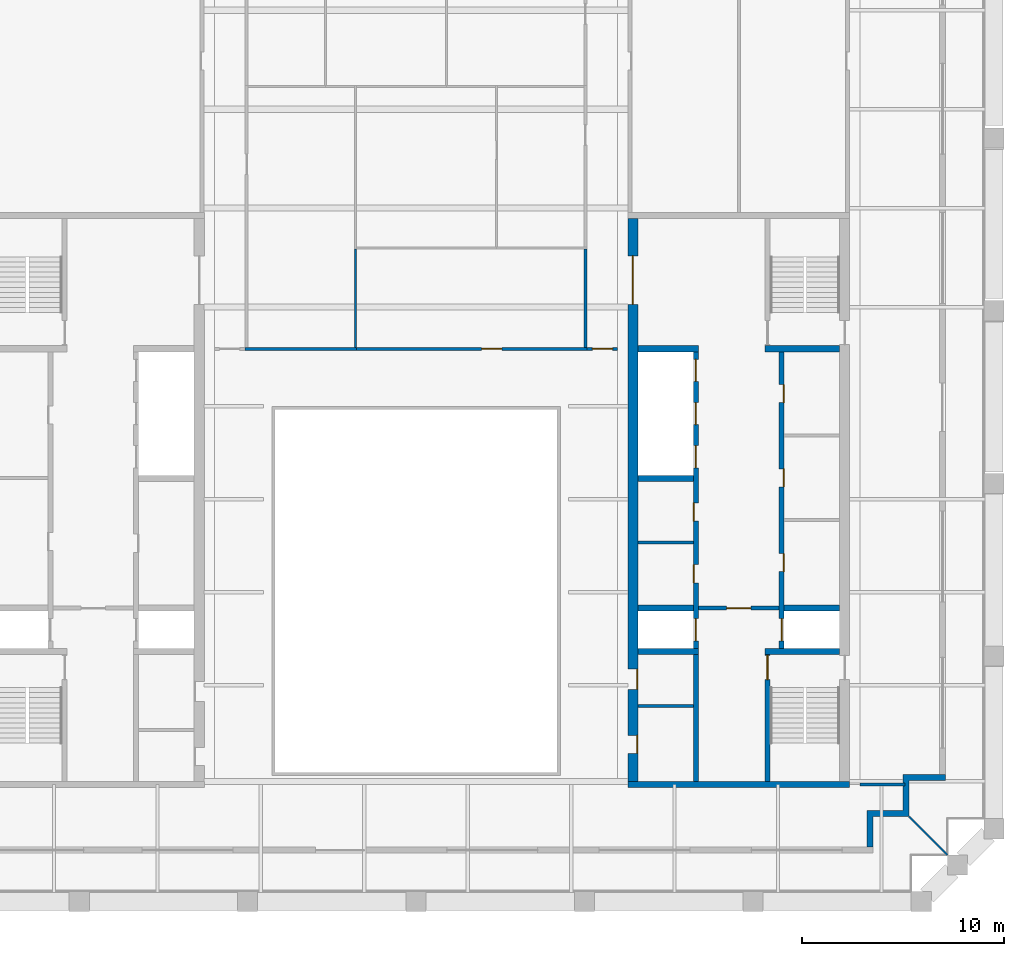
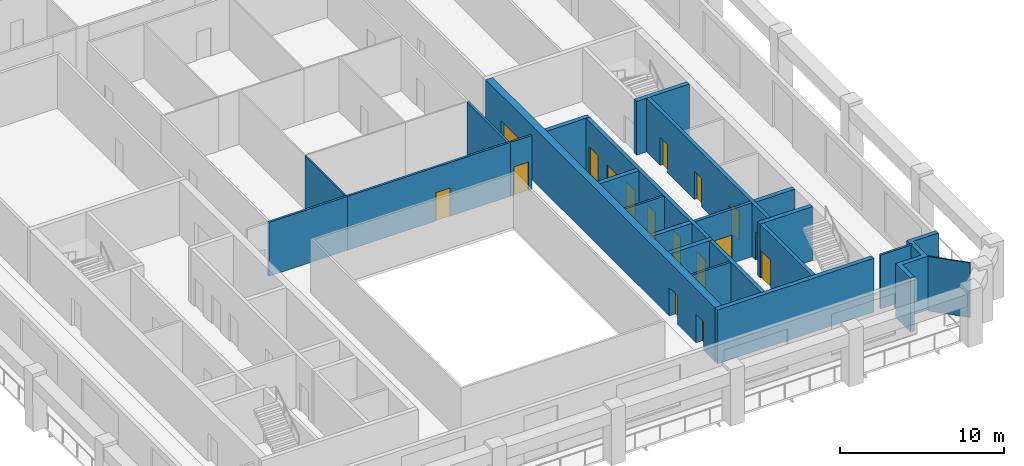
# One storey, part 4 of 8: 23 walls, 17 doors, 17 openings.
"""IFC4 building model written with IfcOpenShell, lengths in metres."""

from ifc_helpers import new_model, si_unit, direction, frame, frame_2d, origin, place, context, subcontext, project, spatial, polyline, rectangle, outline, extrude, material, layer, layer_set, type_object, element, fill, save


model = new_model("IFC4")

# Units and contexts
model_context = context("Model", 3, precision=1e-05, world=origin(), true_north=direction((0.0, 1.0)))
body_context = subcontext(model_context, "Body", "Model", "MODEL_VIEW")
ifc_project = project(units=[si_unit("LENGTHUNIT", "METRE"), si_unit("AREAUNIT", "SQUARE_METRE"), si_unit("VOLUMEUNIT", "CUBIC_METRE"), si_unit("PLANEANGLEUNIT", "RADIAN"), si_unit("MASSUNIT", "GRAM", prefix="KILO")], contexts=[model_context])

# Site, building, storey
site_placement = place(None, origin())
site = spatial("IfcSite", under=ifc_project, at=site_placement, CompositionType="ELEMENT")
building_placement = place(site_placement, origin())
building = spatial("IfcBuilding", under=site, at=building_placement, Name="Ogive Exchange Tower", CompositionType="ELEMENT")
storey_placement = place(building_placement, frame((0.0, 0.0, 338.39990234375)))
storey = spatial("IfcBuildingStorey", under=building, at=storey_placement, Name="L74", CompositionType="ELEMENT", Elevation=338.39990234375)

# Walls
ifc_material_1 = material(Name="Gypsum board partition")
ifc_layer_1 = layer(ifc_material_1, 0.14990234375)
ifc_layer_set_1 = layer_set([ifc_layer_1], Name="Core room partition 150 gypsum")
wall_type_1 = type_object("IfcWallType", Name="Core room partition 150 gypsum", PredefinedType="PARTITIONING", material=ifc_layer_set_1)
for number, where, z_axis, x_axis, name in (
    (1, (11.0, 9.39990234375, 0.0), (0.0, 0.0, 1.0), (1.0, 0.0, 0.0), "E row B bay partition 1-1"),
    (2, (11.0, 1.300048828125, 0.0), (0.0, 0.0, 1.0), (1.0, 0.0, 0.0), "E south room partition"),
):
    element("IfcWall", number, at=place(storey_placement, frame(where, z_axis=z_axis, x_axis=x_axis)), inside=storey, type_object=wall_type_1, Name=name, PredefinedType="PARTITIONING", context=body_context, shape_type="SweptSolid", body=[
        extrude(rectangle(XDim=2.75, YDim=0.14990234375, at=frame_2d((1.375, 0.0))), origin(), (0.0, 0.0, 1.0), 4.0),
    ])
ifc_material_2 = material(Name="Fire partition EI 60 150")
ifc_layer_2 = layer(ifc_material_2, 0.14990234375)
ifc_layer_set_2 = layer_set([ifc_layer_2], Name="Fire partition EI 60 150")
wall_type_2 = type_object("IfcWallType", Name="Fire partition EI 60 150", PredefinedType="PARTITIONING", material=ifc_layer_set_2)
wall_1_placement = place(storey_placement, frame((-8.47509765625, 19.0, 0.0), z_axis=(0.0, 0.0, 1.0), x_axis=(1.0, 0.0, 0.0)))
element("IfcWall", 3, at=wall_1_placement, inside=storey, type_object=wall_type_2, Name="L74-PWL-015", PredefinedType="PARTITIONING", context=body_context, shape_type="SweptSolid", body=[
    extrude(rectangle(XDim=5.525146484375, YDim=0.14990234375, at=frame_2d((2.7626953125, 0.0))), origin(), (0.0, 0.0, 1.0), 4.0),
])

# Wall, opening, door
wall_2_placement = place(storey_placement, frame((-3.0, 19.0, 0.0), z_axis=(0.0, 0.0, 1.0), x_axis=(1.0, 0.0, 0.0)))
wall_2 = element("IfcWall", 4, at=wall_2_placement, inside=storey, type_object=wall_type_2, Name="L74-PWL-026", PredefinedType="PARTITIONING", context=body_context, shape_type="SweptSolid", body=[
    extrude(rectangle(XDim=11.47509765625, YDim=0.14990234375, at=frame_2d((5.737548828125, 0.0))), origin(), (0.0, 0.0, 1.0), 4.0),
])
opening_1_placement = place(wall_2_placement, frame((6.25, 0.0, 0.0)))
opening_1 = element("IfcOpeningElement", 5, at=opening_1_placement, cuts=wall_2, Name="Opening L74-I15", PredefinedType="OPENING", context=body_context, shape_type="SweptSolid", body=[
    extrude(rectangle(XDim=1.0, YDim=2.10009765625, at=frame_2d((0.5, 1.050048828125))), frame((0.0, 0.0849609375, 0.0), z_axis=(0.0, -1.0, 0.0), x_axis=(1.0, 0.0, 0.0)), (0.0, 0.0, 1.0), 0.169921875),
])
ifc_material_3 = material(Name="Fire door FD 30S 1000 x 2100")
door_type_1 = type_object("IfcDoorType", Name="Fire door FD 30S 1000 x 2100", OperationType="NOTDEFINED", PredefinedType="DOOR", material=ifc_material_3)
door_1_placement = place(opening_1_placement, origin())
door_1 = element("IfcDoor", 6, at=door_1_placement, inside=storey, type_object=door_type_1, Name="L74-IDR-015", ObjectType="DT3", OperationType="SINGLE_SWING_LEFT", OverallHeight=2.10009765625, OverallWidth=1.0, PredefinedType="DOOR", context=body_context, shape_type="SweptSolid", body=[
    extrude(rectangle(XDim=1.0, YDim=2.10009765625, at=frame_2d((0.5, 1.050048828125))), frame((0.0, 0.02490234375, 0.0), z_axis=(0.0, -1.0, 0.0), x_axis=(1.0, 0.0, 0.0)), (0.0, 0.0, 1.0), 0.050048828125),
])
fill(opening_1, door_1)

# Walls
wall_3_placement = place(storey_placement, frame((8.39990234375, 19.074951171875, 0.0), z_axis=(0.0, 0.0, 1.0), x_axis=(0.0, 1.0, 0.0)))
element("IfcWall", 7, at=wall_3_placement, inside=storey, type_object=wall_type_2, Name="L74-PWL-041", PredefinedType="PARTITIONING", context=body_context, shape_type="SweptSolid", body=[
    extrude(rectangle(XDim=4.875, YDim=0.14990234375, at=frame_2d((2.4375, 0.0))), origin(), (0.0, 0.0, 1.0), 4.0),
])
wall_4_placement = place(storey_placement, frame((22.0, -2.60009765625, 0.0), z_axis=(0.0, 0.0, 1.0), x_axis=(1.0, 0.0, 0.0)))
element("IfcWall", 8, at=wall_4_placement, inside=storey, type_object=wall_type_2, Name="L74-PWL-050", PredefinedType="PARTITIONING", context=body_context, shape_type="SweptSolid", body=[
    extrude(rectangle(XDim=2.25, YDim=0.14990234375, at=frame_2d((1.125, 0.0))), origin(), (0.0, 0.0, 1.0), 4.0),
])

# Wall, opening, door
wall_5_placement = place(storey_placement, frame((8.485107421875, 19.0, 0.0), z_axis=(0.0, 0.0, 1.0), x_axis=(1.0, 0.0, 0.0)))
wall_5 = element("IfcWall", 9, at=wall_5_placement, inside=storey, type_object=wall_type_2, Name="L74-PWL-056", PredefinedType="PARTITIONING", context=body_context, shape_type="SweptSolid", body=[
    extrude(rectangle(XDim=1.514892578125, YDim=0.14990234375, at=frame_2d((0.75732421875, 0.0))), origin(), (0.0, 0.0, 1.0), 4.0),
])
opening_2_placement = place(wall_5_placement, frame((0.258056640625, 0.0, 0.0)))
opening_2 = element("IfcOpeningElement", 10, at=opening_2_placement, cuts=wall_5, Name="Opening L74-I22", PredefinedType="OPENING", context=body_context, shape_type="SweptSolid", body=[
    extrude(rectangle(XDim=1.0, YDim=2.10009765625, at=frame_2d((0.5, 1.050048828125))), frame((0.0, 0.0849609375, 0.0), z_axis=(0.0, -1.0, 0.0), x_axis=(1.0, 0.0, 0.0)), (0.0, 0.0, 1.0), 0.169921875),
])
door_2_placement = place(opening_2_placement, origin())
door_2 = element("IfcDoor", 11, at=door_2_placement, inside=storey, type_object=door_type_1, Name="L74-IDR-022", ObjectType="DT3", OperationType="SINGLE_SWING_RIGHT", OverallHeight=2.10009765625, OverallWidth=1.0, PredefinedType="DOOR", context=body_context, shape_type="SweptSolid", body=[
    extrude(rectangle(XDim=1.0, YDim=2.10009765625, at=frame_2d((0.5, 1.050048828125))), frame((0.0, 0.02490234375, 0.0), z_axis=(0.0, -1.0, 0.0), x_axis=(1.0, 0.0, 0.0)), (0.0, 0.0, 1.0), 0.050048828125),
])
fill(opening_2, door_2)

# Walls
ifc_material_4 = material(Name="Precast concrete C40/50", Category="concrete")
ifc_layer_3 = layer(ifc_material_4, 0.300048828125)
ifc_layer_set_3 = layer_set([ifc_layer_3], Name="Limestone-faced wall 300")
wall_type_3 = type_object("IfcWallType", Name="Limestone-faced wall 300", PredefinedType="STANDARD", material=ifc_layer_set_3)
wall_6_placement = place(storey_placement, origin())
element("IfcWall", 12, at=wall_6_placement, inside=storey, type_object=wall_type_3, Name="External corner wall C1", PredefinedType="STANDARD", context=body_context, shape_type="SweptSolid", body=[
    extrude(outline(polyline([(24.14990234375, -3.89990234375), (24.14990234375, -2.10009765625), (26.25, -2.10009765625), (26.25, -2.39990234375), (24.449951171875, -2.39990234375), (24.449951171875, -4.199951171875), (22.64990234375, -4.199951171875), (22.64990234375, -5.699951171875), (22.35009765625, -5.699951171875), (22.35009765625, -3.89990234375), (24.14990234375, -3.89990234375)])), origin(), (0.0, 0.0, 1.0), 4.0),
])
ifc_material_5 = material(Name="Laminated safety glass in steel frame", Category="steel")
ifc_layer_4 = layer(ifc_material_5, 0.10009765625)
ifc_layer_set_4 = layer_set([ifc_layer_4], Name="Loggia end screen 100")
wall_type_4 = type_object("IfcWallType", Name="Loggia end screen 100", PredefinedType="STANDARD", material=ifc_layer_set_4)
wall_7_placement = place(storey_placement, frame((24.449951171875, -4.199951171875, -0.0498046875), z_axis=(0.0, 0.0, 1.0), x_axis=(0.707106781187, -0.707106781187, 0.0)))
element("IfcWall", 13, at=wall_7_placement, inside=storey, type_object=wall_type_4, Name="Loggia end screen C1", PredefinedType="STANDARD", context=body_context, shape_type="SweptSolid", body=[
    extrude(rectangle(XDim=2.667236328125, YDim=0.10009765625, at=frame_2d((1.33349609375, 0.0))), origin(), (0.0, 0.0, 1.0), 4.0498046875),
])
ifc_material_6 = material(Name="Partition 100 gypsum")
ifc_layer_5 = layer(ifc_material_6, 0.10009765625)
ifc_layer_set_5 = layer_set([ifc_layer_5], Name="Partition 100 gypsum")
wall_type_5 = type_object("IfcWallType", Name="Partition 100 gypsum", PredefinedType="PARTITIONING", material=ifc_layer_set_5)
wall_8_placement = place(storey_placement, frame((-3.0, 19.074951171875, 0.0), z_axis=(0.0, 0.0, 1.0), x_axis=(0.0, 1.0, 0.0)))
element("IfcWall", 14, at=wall_8_placement, inside=storey, type_object=wall_type_5, Name="L74-PWL-025", PredefinedType="PARTITIONING", context=body_context, shape_type="SweptSolid", body=[
    extrude(rectangle(XDim=4.875, YDim=0.10009765625, at=frame_2d((2.4375, 0.0))), origin(), (0.0, 0.0, 1.0), 4.0),
])

# Wall, opening, door
ifc_material_7 = material(Name="Concrete C70/85", Category="concrete")
ifc_layer_6 = layer(ifc_material_7, 0.199951171875)
ifc_layer_set_6 = layer_set([ifc_layer_6], Name="RC core wall 200 C70/85")
wall_type_6 = type_object("IfcWallType", Name="RC core wall 200 C70/85", PredefinedType="SHEAR", material=ifc_layer_set_6)
wall_9_placement = place(storey_placement, frame((14.0, 6.142822265625, 0.0), z_axis=(0.0, 0.0, 1.0), x_axis=(1.0, 0.0, 0.0)))
wall_9 = element("IfcWall", 15, at=wall_9_placement, inside=storey, type_object=wall_type_6, Name="E firefighting lobby wall", PredefinedType="SHEAR", context=body_context, shape_type="SweptSolid", body=[
    extrude(rectangle(XDim=4.0, YDim=0.199951171875, at=frame_2d((2.0, 0.0))), origin(), (0.0, 0.0, 1.0), 4.0),
])
opening_3_placement = place(wall_9_placement, frame((1.39990234375, 0.0, 0.0)))
opening_3 = element("IfcOpeningElement", 16, at=opening_3_placement, cuts=wall_9, Name="Opening L74-C28", PredefinedType="OPENING", context=body_context, shape_type="SweptSolid", body=[
    extrude(rectangle(XDim=1.199951171875, YDim=2.10009765625, at=frame_2d((0.60009765625, 1.050048828125))), frame((0.0, 0.10986328125, 0.0), z_axis=(0.0, -1.0, 0.0), x_axis=(1.0, 0.0, 0.0)), (0.0, 0.0, 1.0), 0.219970703125),
])
ifc_material_8 = material(Name="Steel fire door", Category="steel")
door_type_2 = type_object("IfcDoorType", Name="Firefighting lobby door FD60 1200 x 2100", OperationType="NOTDEFINED", PredefinedType="DOOR", material=ifc_material_8)
door_3_placement = place(opening_3_placement, frame((1.199951171875, 0.0, 0.0), z_axis=(0.0, 0.0, 1.0), x_axis=(-1.0, 0.0, 0.0)))
door_3 = element("IfcDoor", 17, at=door_3_placement, inside=storey, type_object=door_type_2, Name="Firefighting lobby door", ObjectType="CD3", OperationType="SINGLE_SWING_RIGHT", OverallHeight=2.10009765625, OverallWidth=1.199951171875, PredefinedType="DOOR", context=body_context, shape_type="SweptSolid", body=[
    extrude(rectangle(XDim=1.199951171875, YDim=2.10009765625, at=frame_2d((0.60009765625, 1.050048828125))), frame((0.0, 0.02490234375, 0.0), z_axis=(0.0, -1.0, 0.0), x_axis=(1.0, 0.0, 0.0)), (0.0, 0.0, 1.0), 0.050048828125),
])
fill(opening_3, door_3)

ifc_layer_7 = layer(ifc_material_7, 0.25)
ifc_layer_set_7 = layer_set([ifc_layer_7], Name="RC core wall 250 C70/85")
wall_type_7 = type_object("IfcWallType", Name="RC core wall 250 C70/85", PredefinedType="SHEAR", material=ifc_layer_set_7)
wall_10_placement = place(storey_placement, frame((17.425048828125, -2.449951171875, 0.0), z_axis=(0.0, 0.0, 1.0), x_axis=(0.0, 1.0, 0.0)))
wall_10 = element("IfcWall", 18, at=wall_10_placement, inside=storey, type_object=wall_type_7, Name="E stair S front wall", PredefinedType="SHEAR", context=body_context, shape_type="SweptSolid", body=[
    extrude(rectangle(XDim=6.300048828125, YDim=0.25, at=frame_2d((3.14990234375, 0.0))), origin(), (0.0, 0.0, 1.0), 4.0),
])
opening_4_placement = place(wall_10_placement, frame((5.050048828125, 0.0, 0.0)))
opening_4 = element("IfcOpeningElement", 19, at=opening_4_placement, cuts=wall_10, Name="Opening L74-C30", PredefinedType="OPENING", context=body_context, shape_type="SweptSolid", body=[
    extrude(rectangle(XDim=1.199951171875, YDim=2.10009765625, at=frame_2d((0.60009765625, 1.050048828125))), frame((0.0, 0.135009765625, 0.0), z_axis=(0.0, -1.0, 0.0), x_axis=(1.0, 0.0, 0.0)), (0.0, 0.0, 1.0), 0.27001953125),
])
door_type_3 = type_object("IfcDoorType", Name="Stair door FD90 1200 x 2100", OperationType="NOTDEFINED", PredefinedType="DOOR", material=ifc_material_8)
door_4_placement = place(opening_4_placement, frame((1.199951171875, 0.0, 0.0), z_axis=(0.0, 0.0, 1.0), x_axis=(-1.0, 0.0, 0.0)))
door_4 = element("IfcDoor", 20, at=door_4_placement, inside=storey, type_object=door_type_3, Name="Stair door", ObjectType="CD5", OperationType="SINGLE_SWING_RIGHT", OverallHeight=2.10009765625, OverallWidth=1.199951171875, PredefinedType="DOOR", context=body_context, shape_type="SweptSolid", body=[
    extrude(rectangle(XDim=1.199951171875, YDim=2.10009765625, at=frame_2d((0.60009765625, 1.050048828125))), frame((0.0, 0.02490234375, 0.0), z_axis=(0.0, -1.0, 0.0), x_axis=(1.0, 0.0, 0.0)), (0.0, 0.0, 1.0), 0.050048828125),
])
fill(opening_4, door_4)

# Wall, openings, doors
wall_11_placement = place(storey_placement, frame((18.125, 4.14990234375, 0.0), z_axis=(0.0, 0.0, 1.0), x_axis=(0.0, 1.0, 0.0)))
wall_11 = element("IfcWall", 21, at=wall_11_placement, inside=storey, type_object=wall_type_7, Name="E row A front wall", PredefinedType="SHEAR", context=body_context, shape_type="SweptSolid", body=[
    extrude(rectangle(XDim=14.7001953125, YDim=0.25, at=frame_2d((7.35009765625, 0.0))), origin(), (0.0, 0.0, 1.0), 4.0),
])
opening_5_placement = place(wall_11_placement, frame((3.79638671875, 0.0, 0.0)))
opening_5 = element("IfcOpeningElement", 22, at=opening_5_placement, cuts=wall_11, Name="Opening L74-C18", PredefinedType="OPENING", context=body_context, shape_type="SweptSolid", body=[
    extrude(rectangle(XDim=0.89990234375, YDim=2.10009765625, at=frame_2d((0.449951171875, 1.050048828125))), frame((0.0, 0.135009765625, 0.0), z_axis=(0.0, -1.0, 0.0), x_axis=(1.0, 0.0, 0.0)), (0.0, 0.0, 1.0), 0.27001953125),
])
opening_6_placement = place(wall_11_placement, frame((8.0, 0.0, 0.0)))
opening_6 = element("IfcOpeningElement", 23, at=opening_6_placement, cuts=wall_11, Name="Opening L74-C19", PredefinedType="OPENING", context=body_context, shape_type="SweptSolid", body=[
    extrude(rectangle(XDim=0.89990234375, YDim=2.10009765625, at=frame_2d((0.449951171875, 1.050048828125))), frame((0.0, 0.135009765625, 0.0), z_axis=(0.0, -1.0, 0.0), x_axis=(1.0, 0.0, 0.0)), (0.0, 0.0, 1.0), 0.27001953125),
])
opening_7_placement = place(wall_11_placement, frame((12.175048828125, 0.0, 0.0)))
opening_7 = element("IfcOpeningElement", 24, at=opening_7_placement, cuts=wall_11, Name="Opening L74-C20", PredefinedType="OPENING", context=body_context, shape_type="SweptSolid", body=[
    extrude(rectangle(XDim=0.89990234375, YDim=2.10009765625, at=frame_2d((0.449951171875, 1.050048828125))), frame((0.0, 0.135009765625, 0.0), z_axis=(0.0, -1.0, 0.0), x_axis=(1.0, 0.0, 0.0)), (0.0, 0.0, 1.0), 0.27001953125),
])
opening_8_placement = place(wall_11_placement, frame((0.371337890625, 0.0, 0.0)))
opening_8 = element("IfcOpeningElement", 25, at=opening_8_placement, cuts=wall_11, Name="Opening L74-C21", PredefinedType="OPENING", context=body_context, shape_type="SweptSolid", body=[
    extrude(rectangle(XDim=1.10009765625, YDim=2.10009765625, at=frame_2d((0.550048828125, 1.050048828125))), frame((0.0, 0.135009765625, 0.0), z_axis=(0.0, -1.0, 0.0), x_axis=(1.0, 0.0, 0.0)), (0.0, 0.0, 1.0), 0.27001953125),
])
ifc_material_9 = material(Name="Timber fire door", Category="wood")
door_type_4 = type_object("IfcDoorType", Name="Core room door FD30S 900 x 2100", OperationType="NOTDEFINED", PredefinedType="DOOR", material=ifc_material_9)
door_5_placement = place(opening_5_placement, frame((0.89990234375, -0.2001953125, 0.0), z_axis=(0.0, 0.0, 1.0), x_axis=(-1.0, 0.0, 0.0)))
door_5 = element("IfcDoor", 26, at=door_5_placement, inside=storey, type_object=door_type_4, Name="Core room door", ObjectType="CD6", OperationType="SINGLE_SWING_LEFT", OverallHeight=2.10009765625, OverallWidth=0.89990234375, PredefinedType="DOOR", context=body_context, shape_type="SweptSolid", body=[
    extrude(rectangle(XDim=0.89990234375, YDim=2.10009765625, at=frame_2d((0.449951171875, 1.050048828125))), frame((0.0, -0.0751953125, 0.0), z_axis=(0.0, -1.0, 0.0), x_axis=(1.0, 0.0, 0.0)), (0.0, 0.0, 1.0), 0.050048828125),
])
fill(opening_5, door_5)
door_6_placement = place(opening_7_placement, frame((0.89990234375, -0.2001953125, 0.0), z_axis=(0.0, 0.0, 1.0), x_axis=(-1.0, 0.0, 0.0)))
door_6 = element("IfcDoor", 27, at=door_6_placement, inside=storey, type_object=door_type_4, Name="Core room door", ObjectType="CD6", OperationType="SINGLE_SWING_RIGHT", OverallHeight=2.10009765625, OverallWidth=0.89990234375, PredefinedType="DOOR", context=body_context, shape_type="SweptSolid", body=[
    extrude(rectangle(XDim=0.89990234375, YDim=2.10009765625, at=frame_2d((0.449951171875, 1.050048828125))), frame((0.0, -0.0751953125, 0.0), z_axis=(0.0, -1.0, 0.0), x_axis=(1.0, 0.0, 0.0)), (0.0, 0.0, 1.0), 0.050048828125),
])
fill(opening_7, door_6)
ifc_material_10 = material(Name="Stainless steel", Category="steel")
door_type_5 = type_object("IfcDoorType", Name="Lift landing door FD90 1100 x 2100", OperationType="SLIDING_TO_LEFT", PredefinedType="DOOR", material=ifc_material_10)
door_7_placement = place(opening_8_placement, origin())
door_7 = element("IfcDoor", 28, at=door_7_placement, inside=storey, type_object=door_type_5, Name="Lift landing door FF2", ObjectType="LD", OperationType="SLIDING_TO_LEFT", OverallHeight=2.10009765625, OverallWidth=1.10009765625, PredefinedType="DOOR", context=body_context, shape_type="SweptSolid", body=[
    extrude(rectangle(XDim=1.10009765625, YDim=2.10009765625, at=frame_2d((0.550048828125, 1.050048828125))), frame((0.0, 0.02490234375, 0.0), z_axis=(0.0, -1.0, 0.0), x_axis=(1.0, 0.0, 0.0)), (0.0, 0.0, 1.0), 0.050048828125),
])
fill(opening_8, door_7)
door_type_6 = type_object("IfcDoorType", Name="Riser door FD60 900 x 2100", OperationType="NOTDEFINED", PredefinedType="DOOR", material=ifc_material_8)
door_8_placement = place(opening_6_placement, frame((0.89990234375, -0.2001953125, 0.0), z_axis=(0.0, 0.0, 1.0), x_axis=(-1.0, 0.0, 0.0)))
door_8 = element("IfcDoor", 29, at=door_8_placement, inside=storey, type_object=door_type_6, Name="Riser door", ObjectType="CD2", OperationType="SINGLE_SWING_LEFT", OverallHeight=2.10009765625, OverallWidth=0.89990234375, PredefinedType="DOOR", context=body_context, shape_type="SweptSolid", body=[
    extrude(rectangle(XDim=0.89990234375, YDim=2.10009765625, at=frame_2d((0.449951171875, 1.050048828125))), frame((0.0, -0.0751953125, 0.0), z_axis=(0.0, -1.0, 0.0), x_axis=(1.0, 0.0, 0.0)), (0.0, 0.0, 1.0), 0.050048828125),
])
fill(opening_6, door_8)

wall_12_placement = place(storey_placement, frame((13.875, -2.449951171875, 0.0), z_axis=(0.0, 0.0, 1.0), x_axis=(0.0, 1.0, 0.0)))
wall_12 = element("IfcWall", 30, at=wall_12_placement, inside=storey, type_object=wall_type_7, Name="E row B front wall", PredefinedType="SHEAR", context=body_context, shape_type="SweptSolid", body=[
    extrude(rectangle(XDim=21.300048828125, YDim=0.25, at=frame_2d((10.64990234375, 0.0))), origin(), (0.0, 0.0, 1.0), 4.0),
])
opening_9_placement = place(wall_12_placement, frame((9.846435546875, 0.0, 0.0)))
opening_9 = element("IfcOpeningElement", 31, at=opening_9_placement, cuts=wall_12, Name="Opening L74-C22", PredefinedType="OPENING", context=body_context, shape_type="SweptSolid", body=[
    extrude(rectangle(XDim=0.89990234375, YDim=2.10009765625, at=frame_2d((0.449951171875, 1.050048828125))), frame((0.0, 0.135009765625, 0.0), z_axis=(0.0, -1.0, 0.0), x_axis=(1.0, 0.0, 0.0)), (0.0, 0.0, 1.0), 0.27001953125),
])
opening_10_placement = place(wall_12_placement, frame((12.91064453125, 0.0, 0.0)))
opening_10 = element("IfcOpeningElement", 32, at=opening_10_placement, cuts=wall_12, Name="Opening L74-C23", PredefinedType="OPENING", context=body_context, shape_type="SweptSolid", body=[
    extrude(rectangle(XDim=0.89990234375, YDim=2.10009765625, at=frame_2d((0.449951171875, 1.050048828125))), frame((0.0, 0.135009765625, 0.0), z_axis=(0.0, -1.0, 0.0), x_axis=(1.0, 0.0, 0.0)), (0.0, 0.0, 1.0), 0.27001953125),
])
opening_11_placement = place(wall_12_placement, frame((6.971435546875, 0.0, 0.0)))
opening_11 = element("IfcOpeningElement", 33, at=opening_11_placement, cuts=wall_12, Name="Opening L74-C24", PredefinedType="OPENING", context=body_context, shape_type="SweptSolid", body=[
    extrude(rectangle(XDim=1.10009765625, YDim=2.10009765625, at=frame_2d((0.550048828125, 1.050048828125))), frame((0.0, 0.135009765625, 0.0), z_axis=(0.0, -1.0, 0.0), x_axis=(1.0, 0.0, 0.0)), (0.0, 0.0, 1.0), 0.27001953125),
])
opening_12_placement = place(wall_12_placement, frame((15.54296875, 0.0, 0.0)))
opening_12 = element("IfcOpeningElement", 34, at=opening_12_placement, cuts=wall_12, Name="Opening L74-C25", PredefinedType="OPENING", context=body_context, shape_type="SweptSolid", body=[
    extrude(rectangle(XDim=1.10009765625, YDim=2.10009765625, at=frame_2d((0.550048828125, 1.050048828125))), frame((0.0, 0.135009765625, 0.0), z_axis=(0.0, -1.0, 0.0), x_axis=(1.0, 0.0, 0.0)), (0.0, 0.0, 1.0), 0.27001953125),
])
opening_13_placement = place(wall_12_placement, frame((17.685791015625, 0.0, 0.0)))
opening_13 = element("IfcOpeningElement", 35, at=opening_13_placement, cuts=wall_12, Name="Opening L74-C26", PredefinedType="OPENING", context=body_context, shape_type="SweptSolid", body=[
    extrude(rectangle(XDim=1.10009765625, YDim=2.10009765625, at=frame_2d((0.550048828125, 1.050048828125))), frame((0.0, 0.135009765625, 0.0), z_axis=(0.0, -1.0, 0.0), x_axis=(1.0, 0.0, 0.0)), (0.0, 0.0, 1.0), 0.27001953125),
])
opening_14_placement = place(wall_12_placement, frame((19.82861328125, 0.0, 0.0)))
opening_14 = element("IfcOpeningElement", 36, at=opening_14_placement, cuts=wall_12, Name="Opening L74-C27", PredefinedType="OPENING", context=body_context, shape_type="SweptSolid", body=[
    extrude(rectangle(XDim=1.10009765625, YDim=2.10009765625, at=frame_2d((0.550048828125, 1.050048828125))), frame((0.0, 0.135009765625, 0.0), z_axis=(0.0, -1.0, 0.0), x_axis=(1.0, 0.0, 0.0)), (0.0, 0.0, 1.0), 0.27001953125),
])
door_9_placement = place(opening_11_placement, origin())
door_9 = element("IfcDoor", 37, at=door_9_placement, inside=storey, type_object=door_type_5, Name="Lift landing door SV2", ObjectType="LD", OperationType="SLIDING_TO_LEFT", OverallHeight=2.10009765625, OverallWidth=1.10009765625, PredefinedType="DOOR", context=body_context, shape_type="SweptSolid", body=[
    extrude(rectangle(XDim=1.10009765625, YDim=2.10009765625, at=frame_2d((0.550048828125, 1.050048828125))), frame((0.0, 0.02490234375, 0.0), z_axis=(0.0, -1.0, 0.0), x_axis=(1.0, 0.0, 0.0)), (0.0, 0.0, 1.0), 0.050048828125),
])
fill(opening_11, door_9)
door_10_placement = place(opening_12_placement, origin())
door_10 = element("IfcDoor", 38, at=door_10_placement, inside=storey, type_object=door_type_5, Name="Lift landing door E-H1", ObjectType="LD", OperationType="SLIDING_TO_LEFT", OverallHeight=2.10009765625, OverallWidth=1.10009765625, PredefinedType="DOOR", context=body_context, shape_type="SweptSolid", body=[
    extrude(rectangle(XDim=1.10009765625, YDim=2.10009765625, at=frame_2d((0.550048828125, 1.050048828125))), frame((0.0, 0.02490234375, 0.0), z_axis=(0.0, -1.0, 0.0), x_axis=(1.0, 0.0, 0.0)), (0.0, 0.0, 1.0), 0.050048828125),
])
fill(opening_12, door_10)
door_11_placement = place(opening_13_placement, origin())
door_11 = element("IfcDoor", 39, at=door_11_placement, inside=storey, type_object=door_type_5, Name="Lift landing door E-H2", ObjectType="LD", OperationType="SLIDING_TO_LEFT", OverallHeight=2.10009765625, OverallWidth=1.10009765625, PredefinedType="DOOR", context=body_context, shape_type="SweptSolid", body=[
    extrude(rectangle(XDim=1.10009765625, YDim=2.10009765625, at=frame_2d((0.550048828125, 1.050048828125))), frame((0.0, 0.02490234375, 0.0), z_axis=(0.0, -1.0, 0.0), x_axis=(1.0, 0.0, 0.0)), (0.0, 0.0, 1.0), 0.050048828125),
])
fill(opening_13, door_11)
door_12_placement = place(opening_14_placement, origin())
door_12 = element("IfcDoor", 40, at=door_12_placement, inside=storey, type_object=door_type_5, Name="Lift landing door E-H3", ObjectType="LD", OperationType="SLIDING_TO_LEFT", OverallHeight=2.10009765625, OverallWidth=1.10009765625, PredefinedType="DOOR", context=body_context, shape_type="SweptSolid", body=[
    extrude(rectangle(XDim=1.10009765625, YDim=2.10009765625, at=frame_2d((0.550048828125, 1.050048828125))), frame((0.0, 0.02490234375, 0.0), z_axis=(0.0, -1.0, 0.0), x_axis=(1.0, 0.0, 0.0)), (0.0, 0.0, 1.0), 0.050048828125),
])
fill(opening_14, door_12)
door_13_placement = place(opening_9_placement, origin())
door_13 = element("IfcDoor", 41, at=door_13_placement, inside=storey, type_object=door_type_6, Name="Riser door", ObjectType="CD2", OperationType="SINGLE_SWING_LEFT", OverallHeight=2.10009765625, OverallWidth=0.89990234375, PredefinedType="DOOR", context=body_context, shape_type="SweptSolid", body=[
    extrude(rectangle(XDim=0.89990234375, YDim=2.10009765625, at=frame_2d((0.449951171875, 1.050048828125))), frame((0.0, 0.125, 0.0), z_axis=(0.0, -1.0, 0.0), x_axis=(1.0, 0.0, 0.0)), (0.0, 0.0, 1.0), 0.050048828125),
])
fill(opening_9, door_13)
door_14_placement = place(opening_10_placement, origin())
door_14 = element("IfcDoor", 42, at=door_14_placement, inside=storey, type_object=door_type_6, Name="Riser door", ObjectType="CD2", OperationType="SINGLE_SWING_LEFT", OverallHeight=2.10009765625, OverallWidth=0.89990234375, PredefinedType="DOOR", context=body_context, shape_type="SweptSolid", body=[
    extrude(rectangle(XDim=0.89990234375, YDim=2.10009765625, at=frame_2d((0.449951171875, 1.050048828125))), frame((0.0, 0.125, 0.0), z_axis=(0.0, -1.0, 0.0), x_axis=(1.0, 0.0, 0.0)), (0.0, 0.0, 1.0), 0.050048828125),
])
fill(opening_10, door_14)

# Walls
ifc_layer_8 = layer(ifc_material_7, 0.300048828125)
ifc_layer_set_8 = layer_set([ifc_layer_8], Name="RC core wall 300 C70/85")
wall_type_8 = type_object("IfcWallType", Name="RC core wall 300 C70/85", PredefinedType="SHEAR", material=ifc_layer_set_8)
wall_13_placement = place(storey_placement, frame((10.5, -2.60009765625, 0.0), z_axis=(0.0, 0.0, 1.0), x_axis=(1.0, 0.0, 0.0)))
element("IfcWall", 43, at=wall_13_placement, inside=storey, type_object=wall_type_8, Name="E south end wall", PredefinedType="SHEAR", context=body_context, shape_type="SweptSolid", body=[
    extrude(rectangle(XDim=11.0, YDim=0.300048828125, at=frame_2d((5.5, 0.0))), origin(), (0.0, 0.0, 1.0), 4.0),
])
for number, where, z_axis, x_axis, name in (
    (44, (17.300048828125, 4.0, 0.0), (0.0, 0.0, 1.0), (1.0, 0.0, 0.0), "E stair S north wall"),
    (45, (17.300048828125, 19.0, 0.0), (0.0, 0.0, 1.0), (1.0, 0.0, 0.0), "E stair N south wall"),
):
    element("IfcWall", number, at=place(storey_placement, frame(where, z_axis=z_axis, x_axis=x_axis)), inside=storey, type_object=wall_type_8, Name=name, PredefinedType="SHEAR", context=body_context, shape_type="SweptSolid", body=[
        extrude(rectangle(XDim=3.699951171875, YDim=0.300048828125, at=frame_2d((1.85009765625, 0.0))), origin(), (0.0, 0.0, 1.0), 4.0),
    ])
wall_14_placement = place(storey_placement, frame((18.25, 6.142822265625, 0.0), z_axis=(0.0, 0.0, 1.0), x_axis=(1.0, 0.0, 0.0)))
element("IfcWall", 46, at=wall_14_placement, inside=storey, type_object=wall_type_8, Name="E row A divider 1", PredefinedType="SHEAR", context=body_context, shape_type="SweptSolid", body=[
    extrude(rectangle(XDim=2.75, YDim=0.300048828125, at=frame_2d((1.375, 0.0))), origin(), (0.0, 0.0, 1.0), 4.0),
])
wall_15_placement = place(storey_placement, frame((11.0, 4.0, 0.0), z_axis=(0.0, 0.0, 1.0), x_axis=(1.0, 0.0, 0.0)))
element("IfcWall", 47, at=wall_15_placement, inside=storey, type_object=wall_type_8, Name="E row B divider 0", PredefinedType="SHEAR", context=body_context, shape_type="SweptSolid", body=[
    extrude(rectangle(XDim=3.0, YDim=0.300048828125, at=frame_2d((1.5, 0.0))), origin(), (0.0, 0.0, 1.0), 4.0),
])
for number, where, z_axis, x_axis, name in (
    (48, (11.0, 6.142822265625, 0.0), (0.0, 0.0, 1.0), (1.0, 0.0, 0.0), "E row B divider 1"),
    (49, (11.0, 12.5712890625, 0.0), (0.0, 0.0, 1.0), (1.0, 0.0, 0.0), "E row B divider 4"),
):
    element("IfcWall", number, at=place(storey_placement, frame(where, z_axis=z_axis, x_axis=x_axis)), inside=storey, type_object=wall_type_8, Name=name, PredefinedType="SHEAR", context=body_context, shape_type="SweptSolid", body=[
        extrude(rectangle(XDim=2.75, YDim=0.300048828125, at=frame_2d((1.375, 0.0))), origin(), (0.0, 0.0, 1.0), 4.0),
    ])
wall_16_placement = place(storey_placement, frame((11.0, 19.0, 0.0), z_axis=(0.0, 0.0, 1.0), x_axis=(1.0, 0.0, 0.0)))
element("IfcWall", 50, at=wall_16_placement, inside=storey, type_object=wall_type_8, Name="E row B divider 7", PredefinedType="SHEAR", context=body_context, shape_type="SweptSolid", body=[
    extrude(rectangle(XDim=3.0, YDim=0.300048828125, at=frame_2d((1.5, 0.0))), origin(), (0.0, 0.0, 1.0), 4.0),
])

# Wall, openings, doors
ifc_layer_9 = layer(ifc_material_7, 0.5)
ifc_layer_set_9 = layer_set([ifc_layer_9], Name="RC core wall 500 C70/85")
wall_type_9 = type_object("IfcWallType", Name="RC core wall 500 C70/85", PredefinedType="SHEAR", material=ifc_layer_set_9)
wall_17_placement = place(storey_placement, frame((10.75, -2.449951171875, 0.0), z_axis=(0.0, 0.0, 1.0), x_axis=(0.0, 1.0, 0.0)))
wall_17 = element("IfcWall", 51, at=wall_17_placement, inside=storey, type_object=wall_type_9, Name="E inner wall", PredefinedType="SHEAR", context=body_context, shape_type="SweptSolid", body=[
    extrude(rectangle(XDim=27.89990234375, YDim=0.5, at=frame_2d((13.949951171875, 0.0))), origin(), (0.0, 0.0, 1.0), 4.0),
])
opening_15_placement = place(wall_17_placement, frame((23.64990234375, 0.0, 0.0)))
opening_15 = element("IfcOpeningElement", 52, at=opening_15_placement, cuts=wall_17, Name="Opening L74-C29", PredefinedType="OPENING", context=body_context, shape_type="SweptSolid", body=[
    extrude(rectangle(XDim=2.39990234375, YDim=2.10009765625, at=frame_2d((1.199951171875, 1.050048828125))), frame((0.0, 0.260009765625, 0.0), z_axis=(0.0, -1.0, 0.0), x_axis=(1.0, 0.0, 0.0)), (0.0, 0.0, 1.0), 0.52001953125),
])
opening_16_placement = place(wall_17_placement, frame((1.387451171875, 0.0, 0.0)))
opening_16 = element("IfcOpeningElement", 53, at=opening_16_placement, cuts=wall_17, Name="Opening L74-C34", PredefinedType="OPENING", context=body_context, shape_type="SweptSolid", body=[
    extrude(rectangle(XDim=0.89990234375, YDim=2.10009765625, at=frame_2d((0.449951171875, 1.050048828125))), frame((0.0, 0.260009765625, 0.0), z_axis=(0.0, -1.0, 0.0), x_axis=(1.0, 0.0, 0.0)), (0.0, 0.0, 1.0), 0.52001953125),
])
opening_17_placement = place(wall_17_placement, frame((4.5625, 0.0, 0.0)))
opening_17 = element("IfcOpeningElement", 54, at=opening_17_placement, cuts=wall_17, Name="Opening L74-C35", PredefinedType="OPENING", context=body_context, shape_type="SweptSolid", body=[
    extrude(rectangle(XDim=1.0, YDim=2.10009765625, at=frame_2d((0.5, 1.050048828125))), frame((0.0, 0.260009765625, 0.0), z_axis=(0.0, -1.0, 0.0), x_axis=(1.0, 0.0, 0.0)), (0.0, 0.0, 1.0), 0.52001953125),
])
door_type_7 = type_object("IfcDoorType", Name="Accessible WC door FD30S 1000 x 2100", OperationType="NOTDEFINED", PredefinedType="DOOR", material=ifc_material_9)
door_15_placement = place(opening_17_placement, origin())
door_15 = element("IfcDoor", 55, at=door_15_placement, inside=storey, type_object=door_type_7, Name="Accessible WC door", ObjectType="CD7", OperationType="SINGLE_SWING_LEFT", OverallHeight=2.10009765625, OverallWidth=1.0, PredefinedType="DOOR", context=body_context, shape_type="SweptSolid", body=[
    extrude(rectangle(XDim=1.0, YDim=2.10009765625, at=frame_2d((0.5, 1.050048828125))), frame((0.0, -0.2001953125, 0.0), z_axis=(0.0, -1.0, 0.0), x_axis=(1.0, 0.0, 0.0)), (0.0, 0.0, 1.0), 0.050048828125),
])
fill(opening_17, door_15)
door_16_placement = place(opening_16_placement, origin())
door_16 = element("IfcDoor", 56, at=door_16_placement, inside=storey, type_object=door_type_4, Name="Core room door", ObjectType="CD6", OperationType="SINGLE_SWING_LEFT", OverallHeight=2.10009765625, OverallWidth=0.89990234375, PredefinedType="DOOR", context=body_context, shape_type="SweptSolid", body=[
    extrude(rectangle(XDim=0.89990234375, YDim=2.10009765625, at=frame_2d((0.449951171875, 1.050048828125))), frame((0.0, -0.2001953125, 0.0), z_axis=(0.0, -1.0, 0.0), x_axis=(1.0, 0.0, 0.0)), (0.0, 0.0, 1.0), 0.050048828125),
])
fill(opening_16, door_16)
ifc_material_11 = material(Name="Glazed steel fire door", Category="steel")
door_type_8 = type_object("IfcDoorType", Name="Lift lobby double door FD60 2400 x 2100", OperationType="DOUBLE_DOOR_SINGLE_SWING", PredefinedType="DOOR", material=ifc_material_11)
door_17_placement = place(opening_15_placement, origin())
door_17 = element("IfcDoor", 57, at=door_17_placement, inside=storey, type_object=door_type_8, Name="Lift lobby double door", ObjectType="CD4", OperationType="DOUBLE_DOOR_SINGLE_SWING", OverallHeight=2.10009765625, OverallWidth=2.39990234375, PredefinedType="DOOR", context=body_context, shape_type="SweptSolid", body=[
    extrude(rectangle(XDim=2.39990234375, YDim=2.10009765625, at=frame_2d((1.199951171875, 1.050048828125))), frame((0.0, 0.02490234375, 0.0), z_axis=(0.0, -1.0, 0.0), x_axis=(1.0, 0.0, 0.0)), (0.0, 0.0, 1.0), 0.050048828125),
])
fill(opening_15, door_17)

save(model, "model.ifc")
